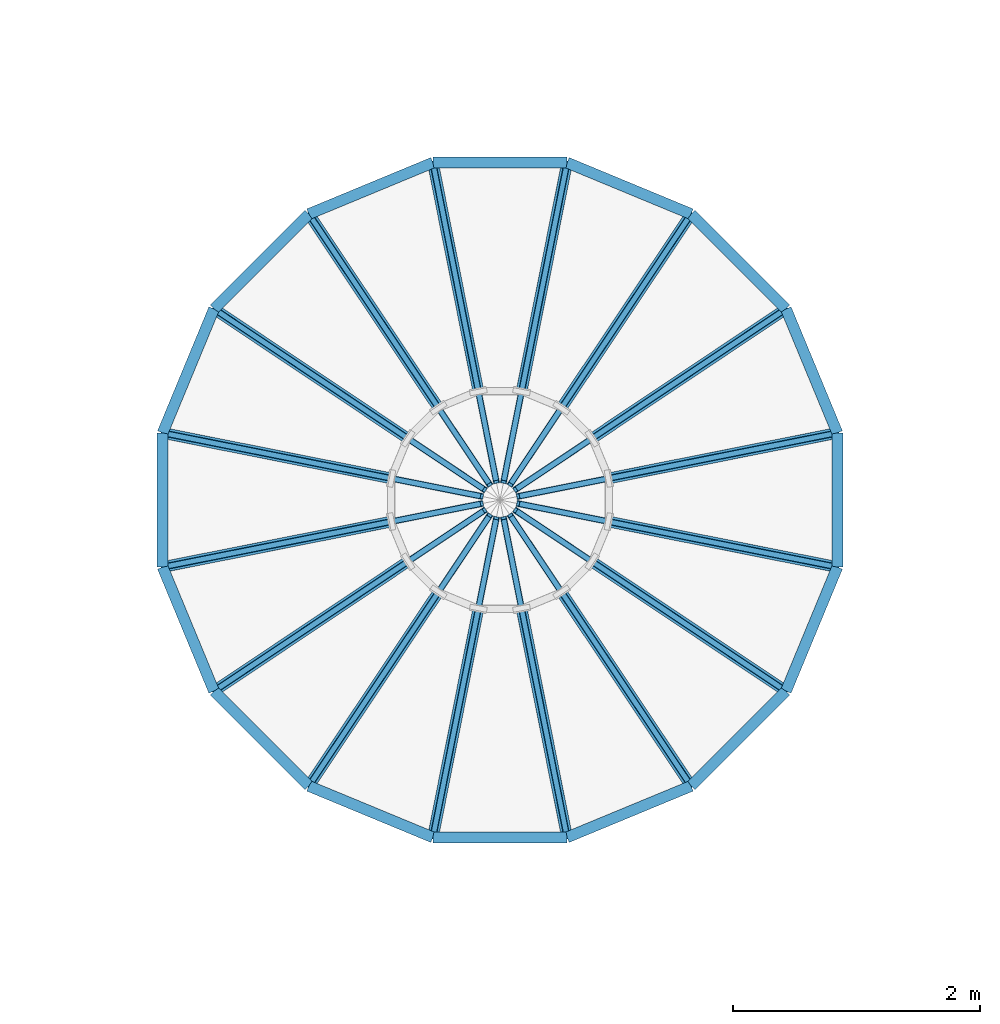
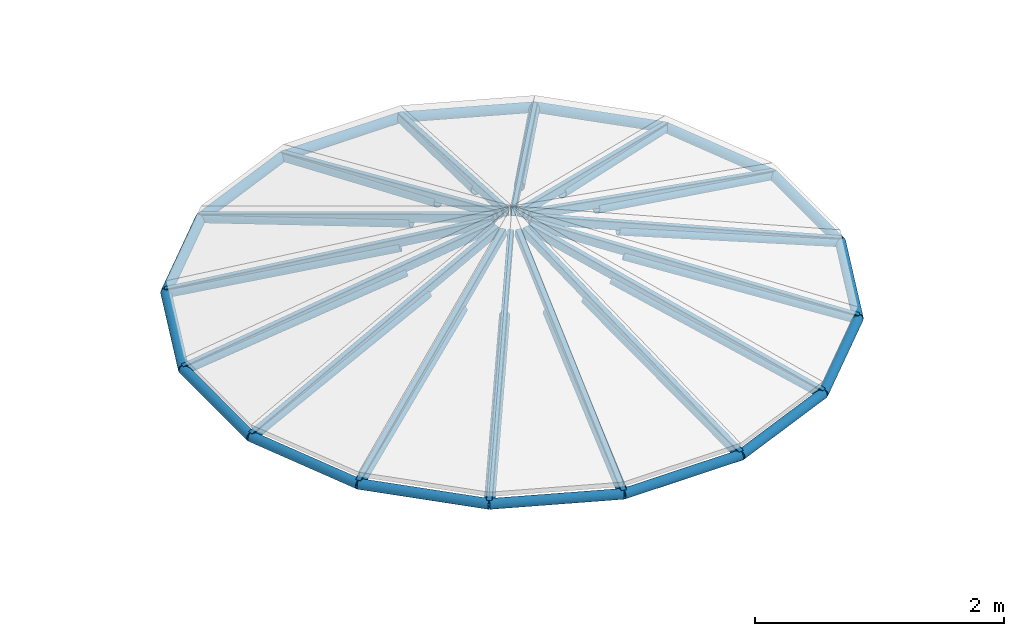
# One storey, part 3 of 36: 48 members.
"""IFC4 building model written with IfcOpenShell, lengths in metres."""

from ifc_helpers import new_model, si_unit, direction, frame, origin, origin_2d, place, context, subcontext, project, spatial, hollow_rectangle, hollow_circle, extrude, material, material_profile, profile_set, type_object, element, save


model = new_model("IFC4")

# Units and contexts
model_context = context("Model", 3, precision=1e-05, world=origin(), true_north=direction((0.0, 1.0)))
body_context = subcontext(model_context, "Body", "Model", "MODEL_VIEW")
ifc_project = project(units=[si_unit("LENGTHUNIT", "METRE"), si_unit("AREAUNIT", "SQUARE_METRE"), si_unit("VOLUMEUNIT", "CUBIC_METRE"), si_unit("PLANEANGLEUNIT", "RADIAN"), si_unit("MASSUNIT", "GRAM", prefix="KILO")], contexts=[model_context])

# Site, building, storey
site_placement = place(None, origin())
site = spatial("IfcSite", under=ifc_project, at=site_placement, CompositionType="ELEMENT")
building_placement = place(site_placement, origin())
building = spatial("IfcBuilding", under=site, at=building_placement, Name="Sun Court Science Centre", CompositionType="ELEMENT")
storey_placement = place(building_placement, frame((0.0, 0.0, 24.75)))
storey = spatial("IfcBuildingStorey", under=building, at=storey_placement, Name="L05", CompositionType="ELEMENT", Elevation=24.75)

# Members
ifc_material_1 = material(Name="Aluminium EN AW-6063 T6", Category="aluminium")
ifc_material_profile_1 = material_profile(ifc_material_1, hollow_rectangle(XDim=0.050048828125, YDim=0.080078125, WallThickness=0.00390625, InnerFilletRadius=0.00390625, OuterFilletRadius=0.006103515625, at=origin_2d()), Name="AL 50x80x4")
ifc_profile_set_1 = profile_set([ifc_material_profile_1], Name="Aluminium EN AW-6063 T6")
member_type_1 = type_object("IfcMemberType", Name="Glazing bar AL 50x80", PredefinedType="USERDEFINED", material=ifc_profile_set_1)
for number, where, z_axis, x_axis, name in (
    (1, (20.734619140625, 26.44384765625, 0.5), (-0.93699510363, -0.186373436351, 0.295474394823), (0.195083799398, -0.98078657781, 0.0), "Lantern glazing bar cone 2 01"),
    (2, (20.318359375, 27.448974609375, 0.5), (-0.794370410293, -0.53072961302, 0.295468660122), (0.55553280108, -0.831494622306, 0.0), "Lantern glazing bar cone 2 02"),
    (3, (19.549072265625, 28.21826171875, 0.5), (-0.530793116284, -0.794333136211, 0.295454795906), (0.831451874563, -0.555596778506, 0.0), "Lantern glazing bar cone 2 03"),
):
    element("IfcMember", number, at=place(storey_placement, frame(where, z_axis=z_axis, x_axis=x_axis)), inside=storey, type_object=member_type_1, Name=name, ObjectType="Glazing bar", PredefinedType="USERDEFINED", context=body_context, shape_type="SweptSolid", body=[
        extrude(hollow_rectangle(XDim=0.050048828125, YDim=0.080078125, WallThickness=0.00390625, InnerFilletRadius=0.00390625, OuterFilletRadius=0.006103515625, at=origin_2d()), origin(), (0.0, 0.0, 1.0), 2.761474609375),
    ])
for number, where, z_axis, x_axis, name in (
    (4, (18.5439453125, 28.634765625, 0.5), (-0.186357997988, -0.93700589216, 0.295449919011), (0.98079009936, -0.195066093919, 0.0), "Lantern glazing bar cone 2 04"),
    (5, (17.4560546875, 28.634765625, 0.5), (0.186357997988, -0.93700589216, 0.295449919011), (0.98079009936, 0.195066093919, 0.0), "Lantern glazing bar cone 2 05"),
):
    element("IfcMember", number, at=place(storey_placement, frame(where, z_axis=z_axis, x_axis=x_axis)), inside=storey, type_object=member_type_1, Name=name, ObjectType="Glazing bar", PredefinedType="USERDEFINED", context=body_context, shape_type="SweptSolid", body=[
        extrude(hollow_rectangle(XDim=0.050048828125, YDim=0.080078125, WallThickness=0.00390625, InnerFilletRadius=0.00390625, OuterFilletRadius=0.006103515625, at=origin_2d()), origin(), (0.0, 0.0, 1.0), 2.76171875),
    ])
for number, where, z_axis, x_axis, name in (
    (6, (16.450927734375, 28.21826171875, 0.5), (0.530793116284, -0.794333136211, 0.295454795906), (0.831451874563, 0.555596778506, 0.0), "Lantern glazing bar cone 2 06"),
    (7, (15.681640625, 27.448974609375, 0.5), (0.794370410293, -0.53072961302, 0.295468660122), (0.55553280108, 0.831494622306, 0.0), "Lantern glazing bar cone 2 07"),
    (8, (15.265380859375, 26.44384765625, 0.5), (0.93699510363, -0.186373436351, 0.295474394823), (0.195083799398, 0.98078657781, 0.0), "Lantern glazing bar cone 2 08"),
    (9, (15.265380859375, 25.35595703125, 0.5), (0.936979660796, 0.186458775676, 0.295469525041), (-0.195172819454, 0.980768867036, 0.0), "Lantern glazing bar cone 2 09"),
    (10, (15.681640625, 24.350830078125, 0.5), (0.794333136211, 0.530793116284, 0.295454795906), (-0.555596778506, 0.831451874563, 0.0), "Lantern glazing bar cone 2 10"),
):
    element("IfcMember", number, at=place(storey_placement, frame(where, z_axis=z_axis, x_axis=x_axis)), inside=storey, type_object=member_type_1, Name=name, ObjectType="Glazing bar", PredefinedType="USERDEFINED", context=body_context, shape_type="SweptSolid", body=[
        extrude(hollow_rectangle(XDim=0.050048828125, YDim=0.080078125, WallThickness=0.00390625, InnerFilletRadius=0.00390625, OuterFilletRadius=0.006103515625, at=origin_2d()), origin(), (0.0, 0.0, 1.0), 2.761474609375),
    ])
for number, where, z_axis, x_axis, name in (
    (11, (16.450927734375, 23.58154296875, 0.5), (0.530755843573, 0.794365757885, 0.295434048837), (-0.831480436546, 0.555554033054, 0.0), "Lantern glazing bar cone 2 11"),
    (12, (17.4560546875, 23.165283203125, 0.5), (0.186357997988, 0.93700589216, 0.295449919011), (-0.98079009936, 0.195066093919, 0.0), "Lantern glazing bar cone 2 12"),
    (13, (18.5439453125, 23.165283203125, 0.5), (-0.186357997988, 0.93700589216, 0.295449919011), (-0.98079009936, -0.195066093919, 0.0), "Lantern glazing bar cone 2 13"),
    (14, (19.549072265625, 23.58154296875, 0.5), (-0.530755843573, 0.794365757885, 0.295434048837), (-0.831480436546, -0.555554033054, 0.0), "Lantern glazing bar cone 2 14"),
):
    element("IfcMember", number, at=place(storey_placement, frame(where, z_axis=z_axis, x_axis=x_axis)), inside=storey, type_object=member_type_1, Name=name, ObjectType="Glazing bar", PredefinedType="USERDEFINED", context=body_context, shape_type="SweptSolid", body=[
        extrude(hollow_rectangle(XDim=0.050048828125, YDim=0.080078125, WallThickness=0.00390625, InnerFilletRadius=0.00390625, OuterFilletRadius=0.006103515625, at=origin_2d()), origin(), (0.0, 0.0, 1.0), 2.76171875),
    ])
for number, where, z_axis, x_axis, name in (
    (15, (20.318359375, 24.350830078125, 0.5), (-0.794333136211, 0.530793116284, 0.295454795906), (-0.555596778506, -0.831451874563, 0.0), "Lantern glazing bar cone 2 15"),
    (16, (20.734619140625, 25.35595703125, 0.5), (-0.936979660796, 0.186458775676, 0.295469525041), (-0.195172819454, -0.980768867036, 0.0), "Lantern glazing bar cone 2 16"),
):
    element("IfcMember", number, at=place(storey_placement, frame(where, z_axis=z_axis, x_axis=x_axis)), inside=storey, type_object=member_type_1, Name=name, ObjectType="Glazing bar", PredefinedType="USERDEFINED", context=body_context, shape_type="SweptSolid", body=[
        extrude(hollow_rectangle(XDim=0.050048828125, YDim=0.080078125, WallThickness=0.00390625, InnerFilletRadius=0.00390625, OuterFilletRadius=0.006103515625, at=origin_2d()), origin(), (0.0, 0.0, 1.0), 2.761474609375),
    ])
ifc_material_2 = material(Name="Steel S355", Category="steel")
ifc_material_profile_2 = material_profile(ifc_material_2, hollow_circle(Radius=0.04443359375, WallThickness=0.0048828125, at=origin_2d()), Name="CHS 88.9x5")
ifc_profile_set_2 = profile_set([ifc_material_profile_2], Name="Steel S355")
member_type_2 = type_object("IfcMemberType", Name="Lantern base ring CHS 88.9x5", PredefinedType="CHORD", material=ifc_profile_set_2)
for number, where, z_axis, x_axis, name in (
    (17, (20.734619140625, 26.44384765625, 0.494384765625), (-0.382622665647, 0.923904700569, 0.0), (-0.923904700569, -0.382622665647, 0.0), "Cone 2 lantern base ring 1"),
    (18, (20.318359375, 27.448974609375, 0.494384765625), (-0.707106781187, 0.707106781187, 0.0), (-0.707106781187, -0.707106781187, 0.0), "Cone 2 lantern base ring 2"),
    (19, (19.549072265625, 28.21826171875, 0.494384765625), (-0.923825356298, 0.382814199136, 0.0), (-0.382814199136, -0.923825356298, 0.0), "Cone 2 lantern base ring 3"),
    (20, (18.5439453125, 28.634765625, 0.494384765625), (-1.0, 0.0, 0.0), (0.0, -1.0, 0.0), "Cone 2 lantern base ring 4"),
    (21, (17.4560546875, 28.634765625, 0.494384765625), (-0.923825356298, -0.382814199136, 0.0), (0.382814199136, -0.923825356298, 0.0), "Cone 2 lantern base ring 5"),
    (22, (16.450927734375, 28.21826171875, 0.494384765625), (-0.707106781187, -0.707106781187, 0.0), (0.707106781187, -0.707106781187, 0.0), "Cone 2 lantern base ring 6"),
    (23, (15.681640625, 27.448974609375, 0.494384765625), (-0.382622665647, -0.923904700569, 0.0), (0.923904700569, -0.382622665647, 0.0), "Cone 2 lantern base ring 7"),
    (24, (15.265380859375, 26.44384765625, 0.494384765625), (0.0, -1.0, 0.0), (1.0, 0.0, 0.0), "Cone 2 lantern base ring 8"),
    (25, (15.265380859375, 25.35595703125, 0.494384765625), (0.382622665647, -0.923904700569, 0.0), (0.923904700569, 0.382622665647, 0.0), "Cone 2 lantern base ring 9"),
    (26, (15.681640625, 24.350830078125, 0.494384765625), (0.707106781187, -0.707106781187, 0.0), (0.707106781187, 0.707106781187, 0.0), "Cone 2 lantern base ring 10"),
    (27, (16.450927734375, 23.58154296875, 0.494384765625), (0.923904700569, -0.382622665647, 0.0), (0.382622665647, 0.923904700569, 0.0), "Cone 2 lantern base ring 11"),
    (28, (17.4560546875, 23.165283203125, 0.494384765625), (1.0, 0.0, 0.0), (0.0, 1.0, 0.0), "Cone 2 lantern base ring 12"),
    (29, (18.5439453125, 23.165283203125, 0.494384765625), (0.923904700569, 0.382622665647, 0.0), (-0.382622665647, 0.923904700569, 0.0), "Cone 2 lantern base ring 13"),
    (30, (19.549072265625, 23.58154296875, 0.494384765625), (0.707106781187, 0.707106781187, 0.0), (-0.707106781187, 0.707106781187, 0.0), "Cone 2 lantern base ring 14"),
    (31, (20.318359375, 24.350830078125, 0.494384765625), (0.382622665647, 0.923904700569, 0.0), (-0.923904700569, 0.382622665647, 0.0), "Cone 2 lantern base ring 15"),
    (32, (20.734619140625, 25.35595703125, 0.494384765625), (0.0, 1.0, 0.0), (-1.0, 0.0, 0.0), "Cone 2 lantern base ring 16"),
):
    element("IfcMember", number, at=place(storey_placement, frame(where, z_axis=z_axis, x_axis=x_axis)), inside=storey, type_object=member_type_2, Name=name, PredefinedType="CHORD", context=body_context, shape_type="SweptSolid", body=[
        extrude(hollow_circle(Radius=0.04443359375, WallThickness=0.0048828125, at=origin_2d()), origin(), (0.0, 0.0, 1.0), 1.087890625),
    ])
ifc_material_3 = material(Name="Steel S355", Category="steel")
ifc_material_profile_3 = material_profile(ifc_material_3, hollow_circle(Radius=0.04443359375, WallThickness=0.0048828125, at=origin_2d()), Name="CHS 88.9x5")
ifc_profile_set_3 = profile_set([ifc_material_profile_3], Name="Steel S355")
member_type_3 = type_object("IfcMemberType", Name="Lantern rafter CHS 88.9x5", PredefinedType="RAFTER", material=ifc_profile_set_3)
member_1_placement = place(storey_placement, frame((20.734619140625, 26.44384765625, 0.494384765625), z_axis=(-0.943052137538, -0.187491446725, 0.274771947786), x_axis=(0.194996992866, -0.980803840109, 0.0)))
element("IfcMember", 33, at=member_1_placement, inside=storey, type_object=member_type_3, Name="Cone 2 lantern rafter 1", PredefinedType="RAFTER", context=body_context, shape_type="SweptSolid", body=[
    extrude(hollow_circle(Radius=0.04443359375, WallThickness=0.0048828125, at=origin_2d()), origin(), (0.0, 0.0, 1.0), 1.963623046875),
])
member_2_placement = place(storey_placement, frame((20.318359375, 27.448974609375, 0.494384765625), z_axis=(-0.799477043885, -0.534186418531, 0.274738651374), x_axis=(0.555565154139, -0.83147300588, 0.0)))
element("IfcMember", 34, at=member_2_placement, inside=storey, type_object=member_type_3, Name="Cone 2 lantern rafter 2", PredefinedType="RAFTER", context=body_context, shape_type="SweptSolid", body=[
    extrude(hollow_circle(Radius=0.04443359375, WallThickness=0.0048828125, at=origin_2d()), origin(), (0.0, 0.0, 1.0), 1.9638671875),
])
member_3_placement = place(storey_placement, frame((19.549072265625, 28.21826171875, 0.494384765625), z_axis=(-0.534239513981, -0.799432179404, 0.274765959018), x_axis=(0.831433093311, -0.555624883664, 0.0)))
element("IfcMember", 35, at=member_3_placement, inside=storey, type_object=member_type_3, Name="Cone 2 lantern rafter 3", PredefinedType="RAFTER", context=body_context, shape_type="SweptSolid", body=[
    extrude(hollow_circle(Radius=0.04443359375, WallThickness=0.0048828125, at=origin_2d()), origin(), (0.0, 0.0, 1.0), 1.963623046875),
])
for number, where, z_axis, x_axis, name in (
    (36, (18.5439453125, 28.634765625, 0.494384765625), (-0.187589408964, -0.94304390749, 0.274733329232), (0.980784024145, -0.195096637547, 0.0), "Cone 2 lantern rafter 4"),
    (37, (17.4560546875, 28.634765625, 0.494384765625), (0.187589408964, -0.94304390749, 0.274733329232), (0.980784024145, 0.195096637547, 0.0), "Cone 2 lantern rafter 5"),
):
    element("IfcMember", number, at=place(storey_placement, frame(where, z_axis=z_axis, x_axis=x_axis)), inside=storey, type_object=member_type_3, Name=name, PredefinedType="RAFTER", context=body_context, shape_type="SweptSolid", body=[
        extrude(hollow_circle(Radius=0.04443359375, WallThickness=0.0048828125, at=origin_2d()), origin(), (0.0, 0.0, 1.0), 1.9638671875),
    ])
member_4_placement = place(storey_placement, frame((16.450927734375, 28.21826171875, 0.494384765625), z_axis=(0.534239513981, -0.799432179404, 0.274765959018), x_axis=(0.831433093311, 0.555624883664, 0.0)))
element("IfcMember", 38, at=member_4_placement, inside=storey, type_object=member_type_3, Name="Cone 2 lantern rafter 6", PredefinedType="RAFTER", context=body_context, shape_type="SweptSolid", body=[
    extrude(hollow_circle(Radius=0.04443359375, WallThickness=0.0048828125, at=origin_2d()), origin(), (0.0, 0.0, 1.0), 1.963623046875),
])
member_5_placement = place(storey_placement, frame((15.681640625, 27.448974609375, 0.494384765625), z_axis=(0.799477043885, -0.534186418531, 0.274738651374), x_axis=(0.555565154139, 0.83147300588, 0.0)))
element("IfcMember", 39, at=member_5_placement, inside=storey, type_object=member_type_3, Name="Cone 2 lantern rafter 7", PredefinedType="RAFTER", context=body_context, shape_type="SweptSolid", body=[
    extrude(hollow_circle(Radius=0.04443359375, WallThickness=0.0048828125, at=origin_2d()), origin(), (0.0, 0.0, 1.0), 1.9638671875),
])
for number, where, z_axis, x_axis, name in (
    (40, (15.265380859375, 26.44384765625, 0.494384765625), (0.943052137538, -0.187491446725, 0.274771947786), (0.194996992866, 0.980803840109, 0.0), "Cone 2 lantern rafter 8"),
    (41, (15.265380859375, 25.35595703125, 0.494384765625), (0.943030147496, 0.187611403108, 0.274765540668), (-0.195121379712, 0.980779102132, 0.0), "Cone 2 lantern rafter 9"),
):
    element("IfcMember", number, at=place(storey_placement, frame(where, z_axis=z_axis, x_axis=x_axis)), inside=storey, type_object=member_type_3, Name=name, PredefinedType="RAFTER", context=body_context, shape_type="SweptSolid", body=[
        extrude(hollow_circle(Radius=0.04443359375, WallThickness=0.0048828125, at=origin_2d()), origin(), (0.0, 0.0, 1.0), 1.963623046875),
    ])
for number, where, z_axis, x_axis, name in (
    (42, (15.681640625, 24.350830078125, 0.494384765625), (0.799477043885, 0.534186418531, 0.274738651374), (-0.555565154139, 0.83147300588, 0.0), "Cone 2 lantern rafter 10"),
    (43, (16.450927734375, 23.58154296875, 0.494384765625), (0.534186418531, 0.799477043885, 0.274738651374), (-0.83147300588, 0.555565154139, 0.0), "Cone 2 lantern rafter 11"),
    (44, (17.4560546875, 23.165283203125, 0.494384765625), (0.187589408964, 0.94304390749, 0.274733329232), (-0.980784024145, 0.195096637547, 0.0), "Cone 2 lantern rafter 12"),
    (45, (18.5439453125, 23.165283203125, 0.494384765625), (-0.187589408964, 0.94304390749, 0.274733329232), (-0.980784024145, -0.195096637547, 0.0), "Cone 2 lantern rafter 13"),
    (46, (19.549072265625, 23.58154296875, 0.494384765625), (-0.534186418531, 0.799477043885, 0.274738651374), (-0.83147300588, -0.555565154139, 0.0), "Cone 2 lantern rafter 14"),
    (47, (20.318359375, 24.350830078125, 0.494384765625), (-0.799477043885, 0.534186418531, 0.274738651374), (-0.555565154139, -0.83147300588, 0.0), "Cone 2 lantern rafter 15"),
):
    element("IfcMember", number, at=place(storey_placement, frame(where, z_axis=z_axis, x_axis=x_axis)), inside=storey, type_object=member_type_3, Name=name, PredefinedType="RAFTER", context=body_context, shape_type="SweptSolid", body=[
        extrude(hollow_circle(Radius=0.04443359375, WallThickness=0.0048828125, at=origin_2d()), origin(), (0.0, 0.0, 1.0), 1.9638671875),
    ])
member_6_placement = place(storey_placement, frame((20.734619140625, 25.35595703125, 0.494384765625), z_axis=(-0.943030147496, 0.187611403108, 0.274765540668), x_axis=(-0.195121379712, -0.980779102132, 0.0)))
element("IfcMember", 48, at=member_6_placement, inside=storey, type_object=member_type_3, Name="Cone 2 lantern rafter 16", PredefinedType="RAFTER", context=body_context, shape_type="SweptSolid", body=[
    extrude(hollow_circle(Radius=0.04443359375, WallThickness=0.0048828125, at=origin_2d()), origin(), (0.0, 0.0, 1.0), 1.963623046875),
])

save(model, "model.ifc")
